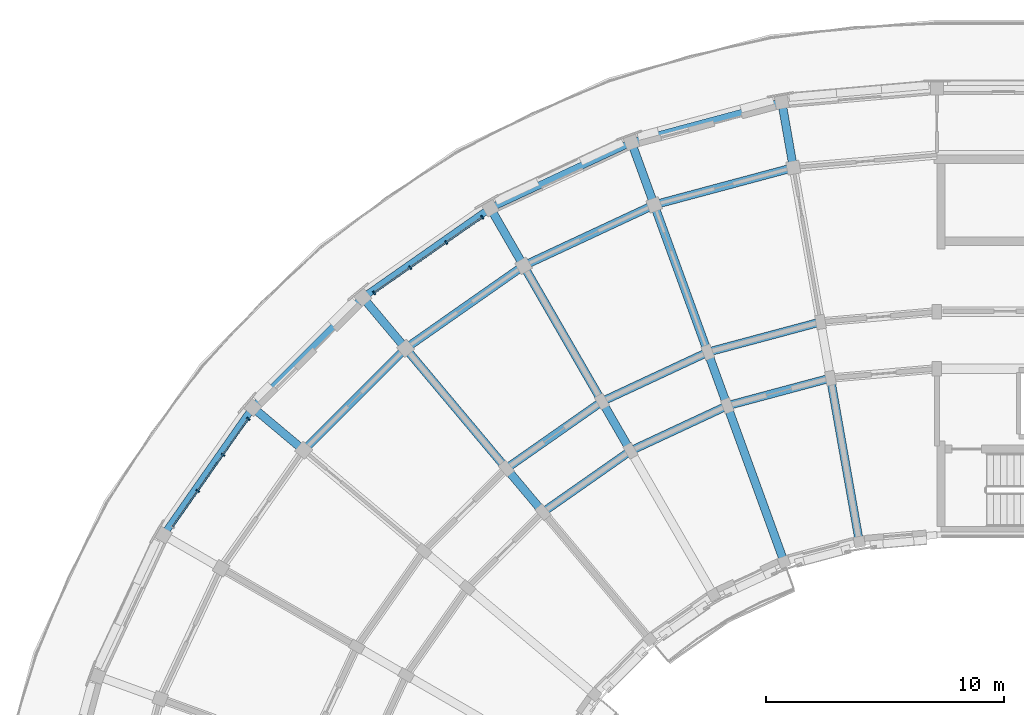
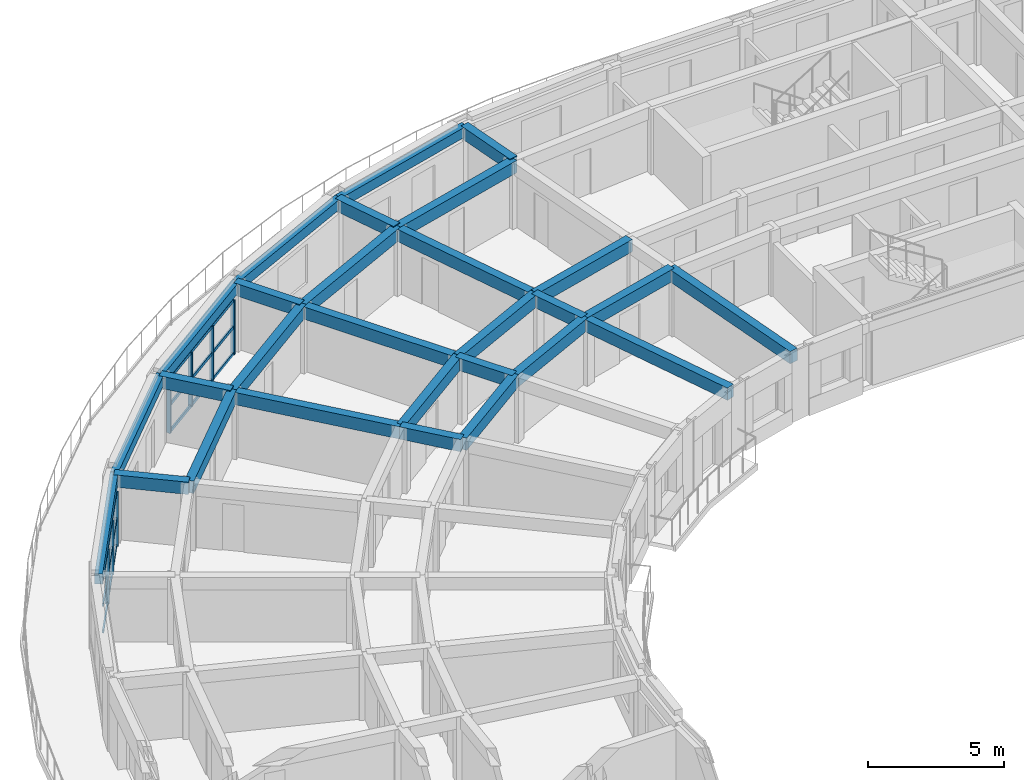
# One storey, part 4 of 16: 28 beams, 13 members, 2 elements without a shape of their own.
"""IFC4 building model written with IfcOpenShell, lengths in metres."""

import ifcopenshell
import ifcopenshell.guid

model = None  # the IFC model being written
_history = None  # IfcOwnerHistory: only IFC2X3 demands one
_inside = {}  # id of a spatial element -> (the spatial element, [elements in it])
_under = {}  # id of a project, library or spatial element -> (it, [spatial elements below it])
_declared = {}  # id of a project -> (the project, [libraries it declares])
_typed = {}  # id of a type object -> (the type object, [elements of that type])
_made_of = {}  # id of a material, layer set ... -> (it, [elements and type objects made of it])


def new_model(schema):
    """Start an empty IFC model of exactly this schema.

    Asked for "IFC4X3", IfcOpenShell would pick the latest addendum, in which some entities
    have other attributes; the version numbers below select the first issue.
    IFC2X3 requires an IfcOwnerHistory on every rooted entity: one is made here for all.
    """
    global model, _history
    if schema == "IFC4X3":
        model = ifcopenshell.file(schema_version=(4, 3, 0, 0))
    else:
        model = ifcopenshell.file(schema=schema)
    _inside.clear()
    _under.clear()
    _declared.clear()
    _typed.clear()
    _made_of.clear()
    _history = None
    if model.schema == "IFC2X3":
        org = make("IfcOrganization", Name="unknown")
        user = make(
            "IfcPersonAndOrganization",
            ThePerson=make("IfcPerson", FamilyName="unknown"),
            TheOrganization=org,
        )
        app = make(
            "IfcApplication",
            ApplicationDeveloper=org,
            Version="unknown",
            ApplicationFullName="unknown",
            ApplicationIdentifier="unknown",
        )
        _history = make(
            "IfcOwnerHistory",
            OwningUser=user,
            OwningApplication=app,
            ChangeAction="ADDED",
            CreationDate=0,
        )
    return model


def make(cls, **values):
    """One entity of the class cls with the attributes given. An attribute that is None is left unset."""
    return model.create_entity(
        cls, **{name: value for name, value in values.items() if value is not None}
    )


def rooted(cls, **values):
    """An entity with a GlobalId (a new one), such as an element, a storey or a relation."""
    return make(cls, GlobalId=ifcopenshell.guid.new(), OwnerHistory=_history, **values)


def si_unit(unit_type, name, prefix=None):
    """IfcSIUnit, for example si_unit("LENGTHUNIT", "METRE", prefix="MILLI")."""
    return make("IfcSIUnit", UnitType=unit_type, Prefix=prefix, Name=name)


def assignment(units):
    """IfcUnitAssignment: the units of a project."""
    return None if units is None else make("IfcUnitAssignment", Units=units)


def point(xyz):
    """IfcCartesianPoint."""
    return None if xyz is None else make("IfcCartesianPoint", Coordinates=xyz)


def direction(xyz):
    """IfcDirection."""
    return None if xyz is None else make("IfcDirection", DirectionRatios=xyz)


def frame(location, z_axis=None, x_axis=None):
    """IfcAxis2Placement3D, a coordinate frame: its origin and axes. An axis left out is left unset."""
    return make(
        "IfcAxis2Placement3D",
        Location=point(location),
        Axis=direction(z_axis),
        RefDirection=direction(x_axis),
    )


def frame_2d(location, x_axis=None):
    """IfcAxis2Placement2D, a coordinate frame in the plane: its origin and x axis."""
    return make(
        "IfcAxis2Placement2D", Location=point(location), RefDirection=direction(x_axis)
    )


def origin():
    """The frame at (0, 0, 0) with its axes left unset."""
    return frame((0.0, 0.0, 0.0))


def origin_2d():
    """The frame at (0, 0) in the plane with its x axis left unset."""
    return frame_2d((0.0, 0.0))


def place(relative_to, where):
    """IfcLocalPlacement: puts the frame where relative to a parent placement (None: the world)."""
    return make(
        "IfcLocalPlacement", PlacementRelTo=relative_to, RelativePlacement=where
    )


def context(
    kind, dimensions, precision=None, world=None, true_north=None, identifier=None
):
    """IfcGeometricRepresentationContext, for example the 3D "Model" context."""
    return make(
        "IfcGeometricRepresentationContext",
        ContextIdentifier=identifier,
        ContextType=kind,
        CoordinateSpaceDimension=dimensions,
        Precision=precision,
        WorldCoordinateSystem=world,
        TrueNorth=true_north,
    )


def subcontext(parent, identifier, kind, view, scale=None):
    """IfcGeometricRepresentationSubContext, for example "Body" below "Model"."""
    return make(
        "IfcGeometricRepresentationSubContext",
        ContextIdentifier=identifier,
        ContextType=kind,
        ParentContext=parent,
        TargetScale=scale,
        TargetView=view,
    )


def project(units=None, contexts=None):
    """IfcProject with its units and contexts."""
    return rooted(
        "IfcProject",
        Name="project",
        RepresentationContexts=contexts,
        UnitsInContext=assignment(units),
    )


def spatial(cls, under=None, at=None, **own):
    """A site, building, storey or space (cls), placed at a placement, below another one or the project."""
    s = rooted(cls, ObjectPlacement=at, **own)
    if under is not None:
        _under.setdefault(under.id(), (under, []))[1].append(s)
    return s


def profile(cls, at=None, kind="AREA", **sizes):
    """A parametric profile (cls). Its sizes go by their IFC names, for example OverallWidth=200.0."""
    return make(cls, ProfileType=kind, Position=at, **sizes)


def rectangle(**sizes):
    """IfcRectangleProfileDef."""
    return profile("IfcRectangleProfileDef", **sizes)


def extrude(swept, where, along, depth):
    """IfcExtrudedAreaSolid: the profile swept, set in the frame where, extruded along a direction by depth."""
    return make(
        "IfcExtrudedAreaSolid",
        SweptArea=swept,
        Position=where,
        ExtrudedDirection=direction(along),
        Depth=depth,
    )


def shape(context_of_items, identifier, shape_type, items):
    """IfcShapeRepresentation: the items that make up one representation, for example the "Body"."""
    return make(
        "IfcShapeRepresentation",
        ContextOfItems=context_of_items,
        RepresentationIdentifier=identifier,
        RepresentationType=shape_type,
        Items=items,
    )


def material(Name=None, Category=None):
    """IfcMaterial."""
    return make("IfcMaterial", Name=Name, Category=Category)


def material_profile(
    of_material, cross_section, Name=None, Category=None, Priority=None
):
    """IfcMaterialProfile: a cross section and its material."""
    return make(
        "IfcMaterialProfile",
        Name=Name,
        Material=of_material,
        Profile=cross_section,
        Priority=Priority,
        Category=Category,
    )


def profile_set(profiles, Name=None, composite=None):
    """IfcMaterialProfileSet."""
    return make(
        "IfcMaterialProfileSet",
        Name=Name,
        MaterialProfiles=profiles,
        CompositeProfile=composite,
    )


def made_of(thing, what):
    """Note that an element or type object is made of a material, layer set ...; save() writes the relation."""
    if what is not None:
        _made_of.setdefault(what.id(), (what, []))[1].append(thing)
    return thing


def type_object(cls, material=None, **own):
    """A type object (cls), such as IfcWallType, which elements share."""
    return made_of(rooted(cls, **own), material)


def element(
    cls,
    number,
    at=None,
    inside=None,
    cuts=None,
    type_object=None,
    material=None,
    context=None,
    identifier="Body",
    shape_type=None,
    held_by="IfcProductDefinitionShape",
    body=None,
    shapes=None,
    **own,
):
    """One element of the class cls, such as IfcWall. Its Tag is "e" and its number.

    at: its placement. inside: the storey or other place that contains it. cuts: it is an
    opening in that element (IfcRelVoidsElement). A single representation is given by context,
    identifier, shape_type and body (its items); several are given by shapes. held_by: the class
    of the entity that holds the representations. save() writes the other relations.
    """
    e = rooted(cls, Tag="e%d" % number, ObjectPlacement=at, **own)
    if body is not None:
        shapes = [shape(context, identifier, shape_type, body)]
    if shapes is not None:
        e.Representation = make(held_by, Representations=shapes)
    if inside is not None:
        _inside.setdefault(inside.id(), (inside, []))[1].append(e)
    if cuts is not None:
        rooted(
            "IfcRelVoidsElement", RelatingBuildingElement=cuts, RelatedOpeningElement=e
        )
    if type_object is not None:
        _typed.setdefault(type_object.id(), (type_object, []))[1].append(e)
    return made_of(e, material)


def aggregate(whole, parts):
    """IfcRelAggregates: a whole, such as a stair, and the parts it consists of."""
    return rooted("IfcRelAggregates", RelatingObject=whole, RelatedObjects=parts)


def save(model, path):
    """Write the relations noted so far, then the file.

    IfcRelAggregates (storeys below a building ...), IfcRelContainedInSpatialStructure (elements
    in a storey), IfcRelDefinesByType, IfcRelAssociatesMaterial and IfcRelDeclares: one each for
    every whole, place, type object, material and project.
    """
    for whole, parts in _under.values():
        aggregate(whole, parts)
    for where, things in _inside.values():
        rooted(
            "IfcRelContainedInSpatialStructure",
            RelatedElements=things,
            RelatingStructure=where,
        )
    for kind, things in _typed.values():
        rooted("IfcRelDefinesByType", RelatedObjects=things, RelatingType=kind)
    for what, things in _made_of.values():
        rooted("IfcRelAssociatesMaterial", RelatedObjects=things, RelatingMaterial=what)
    for by, libraries in _declared.values():
        rooted("IfcRelDeclares", RelatingContext=by, RelatedDefinitions=libraries)
    model.write(path)


model = new_model("IFC4")

# Units and contexts
model_context = context("Model", 3, precision=1e-05, world=origin(), true_north=direction((0.0, 1.0)))
body_context = subcontext(model_context, "Body", "Model", "MODEL_VIEW")
ifc_project = project(units=[si_unit("LENGTHUNIT", "METRE"), si_unit("AREAUNIT", "SQUARE_METRE"), si_unit("VOLUMEUNIT", "CUBIC_METRE"), si_unit("PLANEANGLEUNIT", "RADIAN"), si_unit("MASSUNIT", "GRAM", prefix="KILO")], contexts=[model_context])

# Site, building, storey
site_placement = place(None, origin())
site = spatial("IfcSite", under=ifc_project, at=site_placement, CompositionType="ELEMENT")
building_placement = place(site_placement, origin())
building = spatial("IfcBuilding", under=site, at=building_placement, Name="Kiranvali Square Residences", CompositionType="ELEMENT")
storey_placement = place(building_placement, frame((0.0, 0.0, 46.5)))
storey = spatial("IfcBuildingStorey", under=building, at=storey_placement, Name="L14", CompositionType="ELEMENT", Elevation=46.5)

# Beams
ifc_material_1 = material(Name="Concrete M40 (40 MPa)", Category="concrete")
ifc_material_profile_1 = material_profile(ifc_material_1, rectangle(XDim=0.35009765625, YDim=0.550048828125, at=origin_2d()), Name="RC 350x550")
ifc_profile_set_1 = profile_set([ifc_material_profile_1], Name="Concrete M40 (40 MPa)")
beam_type_1 = type_object("IfcBeamType", Name="BM-M40-350x550", PredefinedType="BEAM", material=ifc_profile_set_1)
beam_1_placement = place(storey_placement, frame((43.719970703125, 113.2080078125, 2.655029296875), z_axis=(-0.965934240054, -0.258787642463, 0.0), x_axis=(0.258787642463, -0.965934240054, 0.0)))
element("IfcBeam", 1, at=beam_1_placement, inside=storey, type_object=beam_type_1, Name="L14 beam BM-A-L14-C01-R1", PredefinedType="BEAM", context=body_context, shape_type="SweptSolid", body=[
    extrude(rectangle(XDim=0.35009765625, YDim=0.550048828125, at=origin_2d()), origin(), (0.0, 0.0, 1.0), 4.497314453125),
])
beam_2_placement = place(storey_placement, frame((43.30322265625, 115.571533203125, 2.655029296875), z_axis=(-0.965930095386, -0.258803112091, 0.0), x_axis=(0.258803112091, -0.965930095386, 0.0)))
element("IfcBeam", 2, at=beam_2_placement, inside=storey, type_object=beam_type_1, Name="L14 beam BM-A-L14-C01-R2", PredefinedType="BEAM", context=body_context, shape_type="SweptSolid", body=[
    extrude(rectangle(XDim=0.35009765625, YDim=0.550048828125, at=origin_2d()), origin(), (0.0, 0.0, 1.0), 4.915771484375),
])
beam_3_placement = place(storey_placement, frame((42.156982421875, 122.0712890625, 2.655029296875), z_axis=(-0.965923618901, -0.258827283048, 0.0), x_axis=(0.258827283048, -0.965923618901, 0.0)))
element("IfcBeam", 3, at=beam_3_placement, inside=storey, type_object=beam_type_1, Name="L14 beam BM-A-L14-C01-R3", PredefinedType="BEAM", context=body_context, shape_type="SweptSolid", body=[
    extrude(rectangle(XDim=0.35009765625, YDim=0.550048828125, at=origin_2d()), origin(), (0.0, 0.0, 1.0), 6.066162109375),
])
beam_4_placement = place(storey_placement, frame((39.3759765625, 112.044189453125, 2.655029296875), z_axis=(-0.906307919131, -0.422617978463, 0.0), x_axis=(0.422617978463, -0.906307919131, 0.0)))
element("IfcBeam", 4, at=beam_4_placement, inside=storey, type_object=beam_type_1, Name="L14 beam BM-A-L14-C02-R1", PredefinedType="BEAM", context=body_context, shape_type="SweptSolid", body=[
    extrude(rectangle(XDim=0.35009765625, YDim=0.550048828125, at=origin_2d()), origin(), (0.0, 0.0, 1.0), 4.497314453125),
])
beam_5_placement = place(storey_placement, frame((38.554931640625, 114.29931640625, 2.655029296875), z_axis=(-0.906302381024, -0.422629854778, 0.0), x_axis=(0.422629854778, -0.906302381024, 0.0)))
element("IfcBeam", 5, at=beam_5_placement, inside=storey, type_object=beam_type_1, Name="L14 beam BM-A-L14-C02-R2", PredefinedType="BEAM", context=body_context, shape_type="SweptSolid", body=[
    extrude(rectangle(XDim=0.35009765625, YDim=0.550048828125, at=origin_2d()), origin(), (0.0, 0.0, 1.0), 4.915283203125),
])
beam_6_placement = place(storey_placement, frame((36.297607421875, 120.501220703125, 2.655029296875), z_axis=(-0.906312656069, -0.42260781991, 0.0), x_axis=(0.42260781991, -0.906312656069, 0.0)))
element("IfcBeam", 6, at=beam_6_placement, inside=storey, type_object=beam_type_1, Name="L14 beam BM-A-L14-C02-R3", PredefinedType="BEAM", context=body_context, shape_type="SweptSolid", body=[
    extrude(rectangle(XDim=0.35009765625, YDim=0.550048828125, at=origin_2d()), origin(), (0.0, 0.0, 1.0), 6.06591796875),
])
beam_7_placement = place(storey_placement, frame((35.300048828125, 110.1435546875, 2.655029296875), z_axis=(-0.819155404658, -0.573571637217, 0.0), x_axis=(0.573571637217, -0.819155404658, 0.0)))
element("IfcBeam", 7, at=beam_7_placement, inside=storey, type_object=beam_type_1, Name="L14 beam BM-A-L14-C03-R1", PredefinedType="BEAM", context=body_context, shape_type="SweptSolid", body=[
    extrude(rectangle(XDim=0.35009765625, YDim=0.550048828125, at=origin_2d()), origin(), (0.0, 0.0, 1.0), 4.497314453125),
])
beam_8_placement = place(storey_placement, frame((34.10009765625, 112.221923828125, 2.655029296875), z_axis=(-0.819140911474, -0.573592335331, 0.0), x_axis=(0.573592335331, -0.819140911474, 0.0)))
element("IfcBeam", 8, at=beam_8_placement, inside=storey, type_object=beam_type_1, Name="L14 beam BM-A-L14-C03-R2", PredefinedType="BEAM", context=body_context, shape_type="SweptSolid", body=[
    extrude(rectangle(XDim=0.35009765625, YDim=0.550048828125, at=origin_2d()), origin(), (0.0, 0.0, 1.0), 4.915771484375),
])
beam_9_placement = place(storey_placement, frame((30.800048828125, 117.937744140625, 2.655029296875), z_axis=(-0.81913926159, -0.573594691504, 0.0), x_axis=(0.573594691504, -0.81913926159, 0.0)))
element("IfcBeam", 9, at=beam_9_placement, inside=storey, type_object=beam_type_1, Name="L14 beam BM-A-L14-C03-R3", PredefinedType="BEAM", context=body_context, shape_type="SweptSolid", body=[
    extrude(rectangle(XDim=0.35009765625, YDim=0.550048828125, at=origin_2d()), origin(), (0.0, 0.0, 1.0), 6.066162109375),
])
beam_10_placement = place(storey_placement, frame((25.8310546875, 114.458251953125, 2.655029296875), z_axis=(-0.707106781187, -0.707106781187, 0.0), x_axis=(0.707106781187, -0.707106781187, 0.0)))
element("IfcBeam", 10, at=beam_10_placement, inside=storey, type_object=beam_type_1, Name="L14 beam BM-A-L14-C04-R3", PredefinedType="BEAM", context=body_context, shape_type="SweptSolid", body=[
    extrude(rectangle(XDim=0.35009765625, YDim=0.550048828125, at=origin_2d()), origin(), (0.0, 0.0, 1.0), 6.06591796875),
])
beam_11_placement = place(storey_placement, frame((44.935302734375, 106.314453125, 2.655029296875), z_axis=(-0.173622177865, 0.984812337125, 0.0), x_axis=(-0.984812337125, -0.173622177865, 0.0)))
element("IfcBeam", 11, at=beam_11_placement, inside=storey, type_object=beam_type_1, Name="L14 beam BM-A-L14-RAD01-01", PredefinedType="BEAM", context=body_context, shape_type="SweptSolid", body=[
    extrude(rectangle(XDim=0.35009765625, YDim=0.550048828125, at=origin_2d()), origin(), (0.0, 0.0, 1.0), 6.999755859375),
])
beam_12_placement = place(storey_placement, frame((42.156982421875, 122.0712890625, 2.695068359375), z_axis=(-0.173596320392, 0.984816895441, 0.0), x_axis=(-0.984816895441, -0.173596320392, 0.0)))
element("IfcBeam", 12, at=beam_12_placement, inside=storey, type_object=beam_type_1, Name="L14 beam BM-A-L14-RAD01-34", PredefinedType="BEAM", context=body_context, shape_type="SweptSolid", body=[
    extrude(rectangle(XDim=0.35009765625, YDim=0.550048828125, at=origin_2d()), origin(), (0.0, 0.0, 1.0), 2.800048828125),
])
beam_13_placement = place(storey_placement, frame((41.77001953125, 105.46630859375, 2.655029296875), z_axis=(-0.342006283793, 0.939697665127, 0.0), x_axis=(-0.939697665127, -0.342006283793, 0.0)))
element("IfcBeam", 13, at=beam_13_placement, inside=storey, type_object=beam_type_1, Name="L14 beam BM-A-L14-RAD02-01", PredefinedType="BEAM", context=body_context, shape_type="SweptSolid", body=[
    extrude(rectangle(XDim=0.35009765625, YDim=0.550048828125, at=origin_2d()), origin(), (0.0, 0.0, 1.0), 7.0),
])
beam_14_placement = place(storey_placement, frame((39.3759765625, 112.044189453125, 2.655029296875), z_axis=(-0.342110593602, 0.939659694648, 0.0), x_axis=(-0.939659694648, -0.342110593602, 0.0)))
element("IfcBeam", 14, at=beam_14_placement, inside=storey, type_object=beam_type_1, Name="L14 beam BM-A-L14-RAD02-12", PredefinedType="BEAM", context=body_context, shape_type="SweptSolid", body=[
    extrude(rectangle(XDim=0.35009765625, YDim=0.550048828125, at=origin_2d()), origin(), (0.0, 0.0, 1.0), 2.39990234375),
])
beam_15_placement = place(storey_placement, frame((38.554931640625, 114.29931640625, 2.655029296875), z_axis=(-0.342022238372, 0.939691858249, 0.0), x_axis=(-0.939691858249, -0.342022238372, 0.0)))
element("IfcBeam", 15, at=beam_15_placement, inside=storey, type_object=beam_type_1, Name="L14 beam BM-A-L14-RAD02-23", PredefinedType="BEAM", context=body_context, shape_type="SweptSolid", body=[
    extrude(rectangle(XDim=0.35009765625, YDim=0.550048828125, at=origin_2d()), origin(), (0.0, 0.0, 1.0), 6.599853515625),
])
beam_16_placement = place(storey_placement, frame((36.297607421875, 120.501220703125, 2.695068359375), z_axis=(-0.341981089711, 0.93970683422, 0.0), x_axis=(-0.93970683422, -0.341981089711, 0.0)))
element("IfcBeam", 16, at=beam_16_placement, inside=storey, type_object=beam_type_1, Name="L14 beam BM-A-L14-RAD02-34", PredefinedType="BEAM", context=body_context, shape_type="SweptSolid", body=[
    extrude(rectangle(XDim=0.35009765625, YDim=0.550048828125, at=origin_2d()), origin(), (0.0, 0.0, 1.0), 2.7998046875),
])
beam_17_placement = place(storey_placement, frame((35.300048828125, 110.1435546875, 2.655029296875), z_axis=(-0.500001309137, 0.866024647952, 0.0), x_axis=(-0.866024647952, -0.500001309137, 0.0)))
element("IfcBeam", 17, at=beam_17_placement, inside=storey, type_object=beam_type_1, Name="L14 beam BM-A-L14-RAD03-12", PredefinedType="BEAM", context=body_context, shape_type="SweptSolid", body=[
    extrude(rectangle(XDim=0.35009765625, YDim=0.550048828125, at=origin_2d()), origin(), (0.0, 0.0, 1.0), 2.39990234375),
])
beam_18_placement = place(storey_placement, frame((34.10009765625, 112.221923828125, 2.655029296875), z_axis=(-0.500002094529, 0.866024194504, 0.0), x_axis=(-0.866024194504, -0.500002094529, 0.0)))
element("IfcBeam", 18, at=beam_18_placement, inside=storey, type_object=beam_type_1, Name="L14 beam BM-A-L14-RAD03-23", PredefinedType="BEAM", context=body_context, shape_type="SweptSolid", body=[
    extrude(rectangle(XDim=0.35009765625, YDim=0.550048828125, at=origin_2d()), origin(), (0.0, 0.0, 1.0), 6.60009765625),
])
beam_19_placement = place(storey_placement, frame((30.800048828125, 117.937744140625, 2.695068359375), z_axis=(-0.500049511043, 0.865996816683, 0.0), x_axis=(-0.865996816683, -0.500049511043, 0.0)))
element("IfcBeam", 19, at=beam_19_placement, inside=storey, type_object=beam_type_1, Name="L14 beam BM-A-L14-RAD03-34", PredefinedType="BEAM", context=body_context, shape_type="SweptSolid", body=[
    extrude(rectangle(XDim=0.35009765625, YDim=0.550048828125, at=origin_2d()), origin(), (0.0, 0.0, 1.0), 2.800048828125),
])
beam_20_placement = place(storey_placement, frame((31.615966796875, 107.56396484375, 2.655029296875), z_axis=(-0.642762521781, 0.766065493671, 0.0), x_axis=(-0.766065493671, -0.642762521781, 0.0)))
element("IfcBeam", 20, at=beam_20_placement, inside=storey, type_object=beam_type_1, Name="L14 beam BM-A-L14-RAD04-12", PredefinedType="BEAM", context=body_context, shape_type="SweptSolid", body=[
    extrude(rectangle(XDim=0.35009765625, YDim=0.550048828125, at=origin_2d()), origin(), (0.0, 0.0, 1.0), 2.399658203125),
])
beam_21_placement = place(storey_placement, frame((30.073486328125, 109.40234375, 2.655029296875), z_axis=(-0.642789470807, 0.766042881449, 0.0), x_axis=(-0.766042881449, -0.642789470807, 0.0)))
element("IfcBeam", 21, at=beam_21_placement, inside=storey, type_object=beam_type_1, Name="L14 beam BM-A-L14-RAD04-23", PredefinedType="BEAM", context=body_context, shape_type="SweptSolid", body=[
    extrude(rectangle(XDim=0.35009765625, YDim=0.550048828125, at=origin_2d()), origin(), (0.0, 0.0, 1.0), 6.60009765625),
])
for number, where, z_axis, x_axis, name in (
    (22, (25.8310546875, 114.458251953125, 2.695068359375), (-0.642770757628, 0.766058583359, 0.0), (-0.766058583359, -0.642770757628, 0.0), "L14 beam BM-A-L14-RAD04-34"),
    (23, (21.541748046875, 110.1689453125, 2.695068359375), (-0.766058583359, 0.642770757628, 0.0), (-0.642770757628, -0.766058583359, 0.0), "L14 beam BM-A-L14-RAD05-34"),
):
    element("IfcBeam", number, at=place(storey_placement, frame(where, z_axis=z_axis, x_axis=x_axis)), inside=storey, type_object=beam_type_1, Name=name, PredefinedType="BEAM", context=body_context, shape_type="SweptSolid", body=[
        extrude(rectangle(XDim=0.35009765625, YDim=0.550048828125, at=origin_2d()), origin(), (0.0, 0.0, 1.0), 2.800048828125),
    ])

# Curtain wall, members
ifc_material_2 = material(Name="Anodised bronze aluminium framing", Category="aluminium")
curtain_wall_type = type_object("IfcCurtainWallType", Name="CW-RES-LOG", PredefinedType="USERDEFINED", material=ifc_material_2)
curtain_wall_1_placement = place(storey_placement, origin())
curtain_wall_1 = element("IfcCurtainWall", 24, at=curtain_wall_1_placement, inside=storey, type_object=curtain_wall_type, Name="Block A L14 stepped curved terrace loggia 4", ObjectType="CURTAIN WALL", PredefinedType="USERDEFINED")
ifc_material_profile_2 = material_profile(ifc_material_2, rectangle(XDim=0.06494140625, YDim=0.159912109375, at=origin_2d()), Name="ALU 65x160")
ifc_profile_set_2 = profile_set([ifc_material_profile_2], Name="Anodised bronze aluminium framing")
member_type_1 = type_object("IfcMemberType", Name="CW-MUL-160", PredefinedType="MULLION", material=ifc_profile_set_2)
member_1_placement = place(storey_placement, frame((29.059326171875, 119.9775390625, 0.02001953125), z_axis=(0.0, 0.0, 1.0), x_axis=(-0.819152044289, -0.573576436351, 0.0)))
member_1 = element("IfcMember", 25, at=member_1_placement, type_object=member_type_1, Name="CW-A-L14-TER-03 vertical mullion 1", PredefinedType="MULLION", context=body_context, shape_type="SweptSolid", body=[
    extrude(rectangle(XDim=0.06494140625, YDim=0.159912109375, at=origin_2d()), origin(), (0.0, 0.0, 1.0), 2.43994140625),
])
member_2_placement = place(storey_placement, frame((27.542724609375, 118.91552734375, 0.02001953125), z_axis=(0.0, 0.0, 1.0), x_axis=(-0.819152044289, -0.573576436351, 0.0)))
member_2 = element("IfcMember", 26, at=member_2_placement, type_object=member_type_1, Name="CW-A-L14-TER-03 vertical mullion 2", PredefinedType="MULLION", context=body_context, shape_type="SweptSolid", body=[
    extrude(rectangle(XDim=0.06494140625, YDim=0.159912109375, at=origin_2d()), origin(), (0.0, 0.0, 1.0), 2.43994140625),
])
member_3_placement = place(storey_placement, frame((26.026123046875, 117.853759765625, 0.02001953125), z_axis=(0.0, 0.0, 1.0), x_axis=(-0.819152044289, -0.573576436351, 0.0)))
member_3 = element("IfcMember", 27, at=member_3_placement, type_object=member_type_1, Name="CW-A-L14-TER-03 vertical mullion 3", PredefinedType="MULLION", context=body_context, shape_type="SweptSolid", body=[
    extrude(rectangle(XDim=0.06494140625, YDim=0.159912109375, at=origin_2d()), origin(), (0.0, 0.0, 1.0), 2.43994140625),
])
member_4_placement = place(storey_placement, frame((24.509521484375, 116.791748046875, 0.02001953125), z_axis=(0.0, 0.0, 1.0), x_axis=(-0.819152044289, -0.573576436351, 0.0)))
member_4 = element("IfcMember", 28, at=member_4_placement, type_object=member_type_1, Name="CW-A-L14-TER-03 vertical mullion 4", PredefinedType="MULLION", context=body_context, shape_type="SweptSolid", body=[
    extrude(rectangle(XDim=0.06494140625, YDim=0.159912109375, at=origin_2d()), origin(), (0.0, 0.0, 1.0), 2.43994140625),
])

curtain_wall_2_placement = place(storey_placement, origin())
curtain_wall_2 = element("IfcCurtainWall", 29, at=curtain_wall_2_placement, inside=storey, type_object=curtain_wall_type, Name="Block A L14 stepped curved terrace loggia 6", ObjectType="CURTAIN WALL", PredefinedType="USERDEFINED")
member_5_placement = place(storey_placement, frame((19.208251953125, 111.490478515625, 0.02001953125), z_axis=(0.0, 0.0, 1.0), x_axis=(-0.573576436351, -0.819152044289, 0.0)))
member_5 = element("IfcMember", 30, at=member_5_placement, type_object=member_type_1, Name="CW-A-L14-TER-05 vertical mullion 1", PredefinedType="MULLION", context=body_context, shape_type="SweptSolid", body=[
    extrude(rectangle(XDim=0.06494140625, YDim=0.159912109375, at=origin_2d()), origin(), (0.0, 0.0, 1.0), 2.43994140625),
])
member_6_placement = place(storey_placement, frame((18.146240234375, 109.973876953125, 0.02001953125), z_axis=(0.0, 0.0, 1.0), x_axis=(-0.573576436351, -0.819152044289, 0.0)))
member_6 = element("IfcMember", 31, at=member_6_placement, type_object=member_type_1, Name="CW-A-L14-TER-05 vertical mullion 2", PredefinedType="MULLION", context=body_context, shape_type="SweptSolid", body=[
    extrude(rectangle(XDim=0.06494140625, YDim=0.159912109375, at=origin_2d()), origin(), (0.0, 0.0, 1.0), 2.43994140625),
])
member_7_placement = place(storey_placement, frame((17.08447265625, 108.457275390625, 0.02001953125), z_axis=(0.0, 0.0, 1.0), x_axis=(-0.573576436351, -0.819152044289, 0.0)))
member_7 = element("IfcMember", 32, at=member_7_placement, type_object=member_type_1, Name="CW-A-L14-TER-05 vertical mullion 3", PredefinedType="MULLION", context=body_context, shape_type="SweptSolid", body=[
    extrude(rectangle(XDim=0.06494140625, YDim=0.159912109375, at=origin_2d()), origin(), (0.0, 0.0, 1.0), 2.43994140625),
])

# Member
ifc_material_profile_3 = material_profile(ifc_material_2, rectangle(XDim=0.06494140625, YDim=0.139892578125, at=origin_2d()), Name="ALU 65x140")
ifc_profile_set_3 = profile_set([ifc_material_profile_3], Name="Anodised bronze aluminium framing")
member_type_2 = type_object("IfcMemberType", Name="CW-TRN-140", PredefinedType="MULLION", material=ifc_profile_set_3)
member_8_placement = place(storey_placement, frame((29.051025390625, 119.9716796875, 0.0400390625), z_axis=(-0.819161445828, -0.573563009328, 0.0), x_axis=(0.573563009328, -0.819161445828, 0.0)))
member_8 = element("IfcMember", 33, at=member_8_placement, type_object=member_type_2, Name="CW-A-L14-TER-03 horizontal transom 1", PredefinedType="MULLION", context=body_context, shape_type="SweptSolid", body=[
    extrude(rectangle(XDim=0.06494140625, YDim=0.139892578125, at=origin_2d()), origin(), (0.0, 0.0, 1.0), 5.533935546875),
])

member_9_placement = place(storey_placement, frame((29.051025390625, 119.9716796875, 1.239990234375), z_axis=(-0.819161445828, -0.573563009328, 0.0), x_axis=(0.573563009328, -0.819161445828, 0.0)))
member_9 = element("IfcMember", 34, at=member_9_placement, type_object=member_type_2, Name="CW-A-L14-TER-03 horizontal transom 2", PredefinedType="MULLION", context=body_context, shape_type="SweptSolid", body=[
    extrude(rectangle(XDim=0.06494140625, YDim=0.139892578125, at=origin_2d()), origin(), (0.0, 0.0, 1.0), 5.533935546875),
])

member_10_placement = place(storey_placement, frame((29.051025390625, 119.9716796875, 2.43994140625), z_axis=(-0.819161445828, -0.573563009328, 0.0), x_axis=(0.573563009328, -0.819161445828, 0.0)))
member_10 = element("IfcMember", 35, at=member_10_placement, type_object=member_type_2, Name="CW-A-L14-TER-03 horizontal transom 3", PredefinedType="MULLION", context=body_context, shape_type="SweptSolid", body=[
    extrude(rectangle(XDim=0.06494140625, YDim=0.139892578125, at=origin_2d()), origin(), (0.0, 0.0, 1.0), 5.533935546875),
])

aggregate(curtain_wall_1, [member_1, member_2, member_3, member_4, member_8, member_9, member_10])

member_11_placement = place(storey_placement, frame((19.202392578125, 111.482177734375, 0.0400390625), z_axis=(-0.573563009328, -0.819161445828, 0.0), x_axis=(0.819161445828, -0.573563009328, 0.0)))
member_11 = element("IfcMember", 36, at=member_11_placement, type_object=member_type_2, Name="CW-A-L14-TER-05 horizontal transom 1", PredefinedType="MULLION", context=body_context, shape_type="SweptSolid", body=[
    extrude(rectangle(XDim=0.06494140625, YDim=0.139892578125, at=origin_2d()), origin(), (0.0, 0.0, 1.0), 5.533935546875),
])

member_12_placement = place(storey_placement, frame((19.202392578125, 111.482177734375, 1.239990234375), z_axis=(-0.573563009328, -0.819161445828, 0.0), x_axis=(0.819161445828, -0.573563009328, 0.0)))
member_12 = element("IfcMember", 37, at=member_12_placement, type_object=member_type_2, Name="CW-A-L14-TER-05 horizontal transom 2", PredefinedType="MULLION", context=body_context, shape_type="SweptSolid", body=[
    extrude(rectangle(XDim=0.06494140625, YDim=0.139892578125, at=origin_2d()), origin(), (0.0, 0.0, 1.0), 5.533935546875),
])

member_13_placement = place(storey_placement, frame((19.202392578125, 111.482177734375, 2.43994140625), z_axis=(-0.573563009328, -0.819161445828, 0.0), x_axis=(0.819161445828, -0.573563009328, 0.0)))
member_13 = element("IfcMember", 38, at=member_13_placement, type_object=member_type_2, Name="CW-A-L14-TER-05 horizontal transom 3", PredefinedType="MULLION", context=body_context, shape_type="SweptSolid", body=[
    extrude(rectangle(XDim=0.06494140625, YDim=0.139892578125, at=origin_2d()), origin(), (0.0, 0.0, 1.0), 5.533935546875),
])

aggregate(curtain_wall_2, [member_5, member_6, member_7, member_11, member_12, member_13])

# Beams
ifc_material_profile_4 = material_profile(ifc_material_1, rectangle(XDim=0.300048828125, YDim=0.449951171875, at=origin_2d()), Name="RC 300x450")
ifc_profile_set_4 = profile_set([ifc_material_profile_4], Name="Concrete M40 (40 MPa)")
beam_type_2 = type_object("IfcBeamType", Name="SPN-M40-300x450", PredefinedType="SPANDREL", material=ifc_profile_set_4)
for number, where, z_axis, x_axis, name in (
    (39, (41.6708984375, 124.828857421875, 2.7451171875), (-0.965918287583, -0.258847178297, 0.0), (0.258847178297, -0.965918287583, 0.0), "L14 beam BM-A-L14-C01-R4"),
    (40, (35.340087890625, 123.13232421875, 2.7451171875), (-0.906318225223, -0.422595876255, 0.0), (0.422595876255, -0.906318225223, 0.0), "L14 beam BM-A-L14-C02-R4"),
):
    element("IfcBeam", number, at=place(storey_placement, frame(where, z_axis=z_axis, x_axis=x_axis)), inside=storey, type_object=beam_type_2, Name=name, PredefinedType="SPANDREL", context=body_context, shape_type="SweptSolid", body=[
        extrude(rectangle(XDim=0.300048828125, YDim=0.449951171875, at=origin_2d()), origin(), (0.0, 0.0, 1.0), 6.55419921875),
    ])
beam_22_placement = place(storey_placement, frame((29.39990234375, 120.362548828125, 2.7451171875), z_axis=(-0.819144409176, -0.573587340268, 0.0), x_axis=(0.573587340268, -0.819144409176, 0.0)))
element("IfcBeam", 41, at=beam_22_placement, inside=storey, type_object=beam_type_2, Name="L14 beam BM-A-L14-C03-R4", PredefinedType="SPANDREL", context=body_context, shape_type="SweptSolid", body=[
    extrude(rectangle(XDim=0.300048828125, YDim=0.449951171875, at=origin_2d()), origin(), (0.0, 0.0, 1.0), 6.553955078125),
])
beam_23_placement = place(storey_placement, frame((24.03125, 116.603271484375, 2.7451171875), z_axis=(-0.707106781187, -0.707106781187, 0.0), x_axis=(0.707106781187, -0.707106781187, 0.0)))
element("IfcBeam", 42, at=beam_23_placement, inside=storey, type_object=beam_type_2, Name="L14 beam BM-A-L14-C04-R4", PredefinedType="SPANDREL", context=body_context, shape_type="SweptSolid", body=[
    extrude(rectangle(XDim=0.300048828125, YDim=0.449951171875, at=origin_2d()), origin(), (0.0, 0.0, 1.0), 6.55419921875),
])
beam_24_placement = place(storey_placement, frame((19.396728515625, 111.96875, 2.7451171875), z_axis=(-0.573587340268, -0.819144409176, 0.0), x_axis=(0.819144409176, -0.573587340268, 0.0)))
element("IfcBeam", 43, at=beam_24_placement, inside=storey, type_object=beam_type_2, Name="L14 beam BM-A-L14-C05-R4", PredefinedType="SPANDREL", context=body_context, shape_type="SweptSolid", body=[
    extrude(rectangle(XDim=0.300048828125, YDim=0.449951171875, at=origin_2d()), origin(), (0.0, 0.0, 1.0), 6.553955078125),
])

save(model, "model.ifc")
